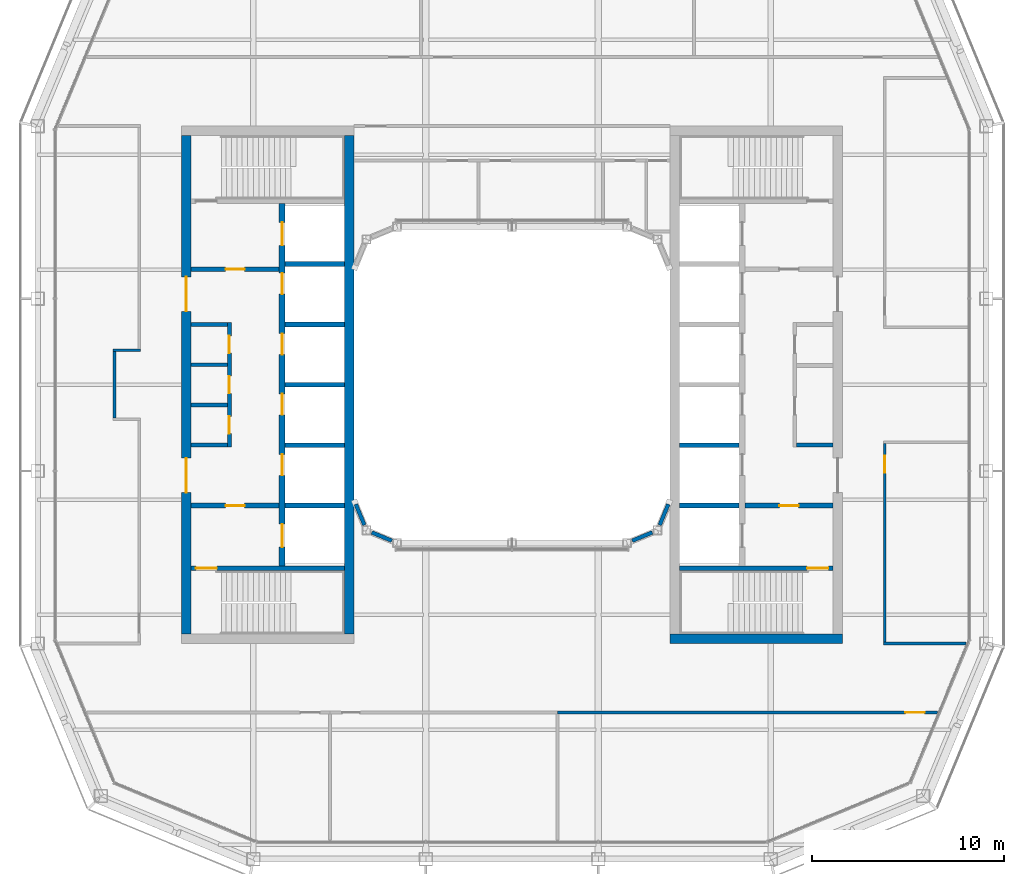
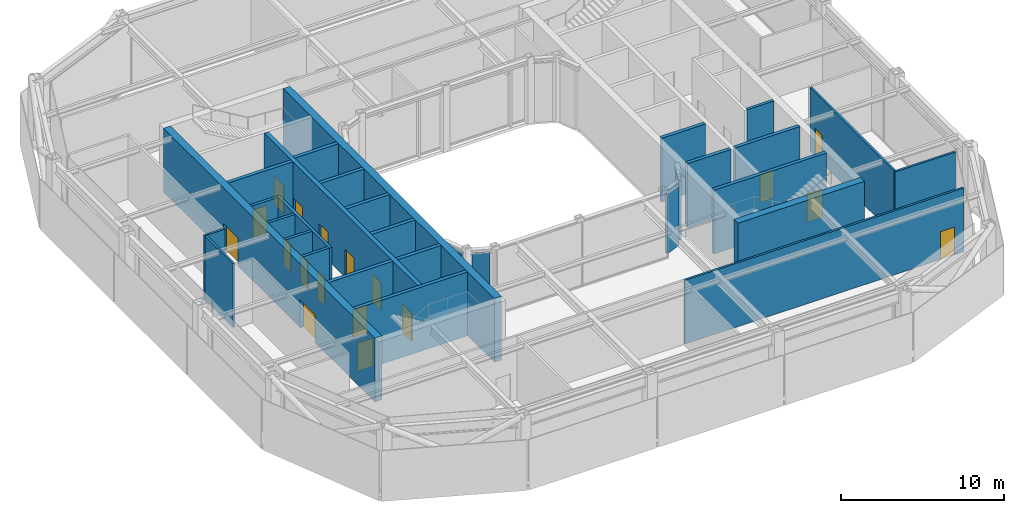
# One storey, part 11 of 17: 31 walls, 18 doors, 18 openings.
"""IFC4 building model written with IfcOpenShell, lengths in metres."""

from ifc_helpers import new_model, si_unit, direction, frame, frame_2d, origin, place, context, subcontext, project, spatial, rectangle, extrude, material, layer, layer_set, type_object, element, fill, save


model = new_model("IFC4")

# Units and contexts
model_context = context("Model", 3, precision=1e-05, world=origin(), true_north=direction((0.0, 1.0)))
body_context = subcontext(model_context, "Body", "Model", "MODEL_VIEW")
ifc_project = project(units=[si_unit("LENGTHUNIT", "METRE"), si_unit("AREAUNIT", "SQUARE_METRE"), si_unit("VOLUMEUNIT", "CUBIC_METRE"), si_unit("PLANEANGLEUNIT", "RADIAN"), si_unit("MASSUNIT", "GRAM", prefix="KILO")], contexts=[model_context])

# Site, building, storey
site_placement = place(None, origin())
site = spatial("IfcSite", under=ifc_project, at=site_placement, CompositionType="ELEMENT")
building_placement = place(site_placement, origin())
building = spatial("IfcBuilding", under=site, at=building_placement, Name="Siwar Civic Tower", CompositionType="ELEMENT")
storey_placement = place(building_placement, frame((0.0, 0.0, 348.199951171875)))
storey = spatial("IfcBuildingStorey", under=building, at=storey_placement, Name="L75", CompositionType="ELEMENT", Elevation=348.199951171875)

# Wall
ifc_material_1 = material(Name="Gypsum board on steel studs", Category="steel")
ifc_layer_1 = layer(ifc_material_1, 0.14990234375)
ifc_layer_set_1 = layer_set([ifc_layer_1], Name="Gypsum board on steel studs")
wall_type_1 = type_object("IfcWallType", Name="COMPARTMENT PARTITION 150 EI 60", PredefinedType="PARTITIONING", material=ifc_layer_set_1)
wall_1_placement = place(storey_placement, frame((19.375, -13.5, 0.0), z_axis=(0.0, 0.0, 1.0), x_axis=(1.0, 0.0, 0.0)))
element("IfcWall", 1, at=wall_1_placement, inside=storey, type_object=wall_type_1, Name="L75/wall/P05", PredefinedType="PARTITIONING", context=body_context, shape_type="SweptSolid", body=[
    extrude(rectangle(XDim=4.302978515625, YDim=0.14990234375, at=frame_2d((2.1513671875, 0.0))), origin(), (0.0, 0.0, 1.0), 4.800048828125),
])

# Wall, opening, door
wall_2_placement = place(storey_placement, frame((19.449951171875, -13.425048828125, 0.0), z_axis=(0.0, 0.0, 1.0), x_axis=(0.0, 1.0, 0.0)))
wall_2 = element("IfcWall", 2, at=wall_2_placement, inside=storey, type_object=wall_type_1, Name="L75/wall/P28", PredefinedType="PARTITIONING", context=body_context, shape_type="SweptSolid", body=[
    extrude(rectangle(XDim=10.35009765625, YDim=0.14990234375, at=frame_2d((5.175048828125, 0.0))), origin(), (0.0, 0.0, 1.0), 4.800048828125),
])
opening_1_placement = place(wall_2_placement, frame((8.824951171875, 0.0, 0.0)))
opening_1 = element("IfcOpeningElement", 3, at=opening_1_placement, cuts=wall_2, Name="Opening D4", PredefinedType="OPENING", context=body_context, shape_type="SweptSolid", body=[
    extrude(rectangle(XDim=0.89990234375, YDim=2.10009765625, at=frame_2d((0.449951171875, 1.050048828125))), frame((0.0, 0.0849609375, 0.0), z_axis=(0.0, -1.0, 0.0), x_axis=(1.0, 0.0, 0.0)), (0.0, 0.0, 1.0), 0.169921875),
])
ifc_material_2 = material(Name="Timber, painted", Category="wood")
door_type_1 = type_object("IfcDoorType", Name="DOOR 900 X 2100 FD60", OperationType="SINGLE_SWING_LEFT", PredefinedType="DOOR", material=ifc_material_2)
door_1_placement = place(opening_1_placement, origin())
door_1 = element("IfcDoor", 4, at=door_1_placement, inside=storey, type_object=door_type_1, Name="L75-D14", OperationType="SINGLE_SWING_RIGHT", OverallHeight=2.10009765625, OverallWidth=0.89990234375, PredefinedType="DOOR", context=body_context, shape_type="SweptSolid", body=[
    extrude(rectangle(XDim=0.89990234375, YDim=2.10009765625, at=frame_2d((0.449951171875, 1.050048828125))), frame((0.0, 0.02490234375, 0.0), z_axis=(0.0, -1.0, 0.0), x_axis=(1.0, 0.0, 0.0)), (0.0, 0.0, 1.0), 0.050048828125),
])
fill(opening_1, door_1)

# Wall, openings, doors
ifc_material_3 = material(Name="Gypsum board on steel studs", Category="steel")
ifc_layer_2 = layer(ifc_material_3, 0.199951171875)
ifc_layer_set_2 = layer_set([ifc_layer_2], Name="Gypsum board on steel studs")
wall_type_2 = type_object("IfcWallType", Name="CORE-PARTITION-200", PredefinedType="PARTITIONING", material=ifc_layer_set_2)
wall_3_placement = place(storey_placement, frame((-14.75, -3.25, 0.0), z_axis=(0.0, 0.0, 1.0), x_axis=(0.0, 1.0, 0.0)))
wall_3 = element("IfcWall", 5, at=wall_3_placement, inside=storey, type_object=wall_type_2, Name="Core partition W", PredefinedType="PARTITIONING", context=body_context, shape_type="SweptSolid", body=[
    extrude(rectangle(XDim=6.5, YDim=0.199951171875, at=frame_2d((3.25, 0.0))), origin(), (0.0, 0.0, 1.0), 4.800048828125),
])
opening_2_placement = place(wall_3_placement, frame((0.699951171875, 0.0, 0.0)))
opening_2 = element("IfcOpeningElement", 6, at=opening_2_placement, cuts=wall_3, Name="Opening L75-CW13", PredefinedType="OPENING", context=body_context, shape_type="SweptSolid", body=[
    extrude(rectangle(XDim=0.89990234375, YDim=2.10009765625, at=frame_2d((0.449951171875, 1.050048828125))), frame((0.0, 0.10986328125, 0.0), z_axis=(0.0, -1.0, 0.0), x_axis=(1.0, 0.0, 0.0)), (0.0, 0.0, 1.0), 0.219970703125),
])
opening_3_placement = place(wall_3_placement, frame((2.800048828125, 0.0, 0.0)))
opening_3 = element("IfcOpeningElement", 7, at=opening_3_placement, cuts=wall_3, Name="Opening L75-CW14", PredefinedType="OPENING", context=body_context, shape_type="SweptSolid", body=[
    extrude(rectangle(XDim=0.89990234375, YDim=2.10009765625, at=frame_2d((0.449951171875, 1.050048828125))), frame((0.0, 0.10986328125, 0.0), z_axis=(0.0, -1.0, 0.0), x_axis=(1.0, 0.0, 0.0)), (0.0, 0.0, 1.0), 0.219970703125),
])
opening_4_placement = place(wall_3_placement, frame((4.89990234375, 0.0, 0.0)))
opening_4 = element("IfcOpeningElement", 8, at=opening_4_placement, cuts=wall_3, Name="Opening L75-CW15", PredefinedType="OPENING", context=body_context, shape_type="SweptSolid", body=[
    extrude(rectangle(XDim=0.89990234375, YDim=2.10009765625, at=frame_2d((0.449951171875, 1.050048828125))), frame((0.0, 0.10986328125, 0.0), z_axis=(0.0, -1.0, 0.0), x_axis=(1.0, 0.0, 0.0)), (0.0, 0.0, 1.0), 0.219970703125),
])
ifc_material_4 = material(Name="Steel door leaf", Category="steel")
door_type_2 = type_object("IfcDoorType", Name="CORE-DOOR-ROOM", OperationType="SINGLE_SWING_LEFT", PredefinedType="DOOR", material=ifc_material_4)
door_2_placement = place(opening_2_placement, origin())
door_2 = element("IfcDoor", 9, at=door_2_placement, inside=storey, type_object=door_type_2, Name="Core room door L75-CW13", OperationType="SINGLE_SWING_RIGHT", OverallHeight=2.10009765625, OverallWidth=0.89990234375, PredefinedType="DOOR", context=body_context, shape_type="SweptSolid", body=[
    extrude(rectangle(XDim=0.89990234375, YDim=2.10009765625, at=frame_2d((0.449951171875, 1.050048828125))), frame((0.0, 0.02490234375, 0.0), z_axis=(0.0, -1.0, 0.0), x_axis=(1.0, 0.0, 0.0)), (0.0, 0.0, 1.0), 0.050048828125),
])
fill(opening_2, door_2)
door_3_placement = place(opening_3_placement, origin())
door_3 = element("IfcDoor", 10, at=door_3_placement, inside=storey, type_object=door_type_2, Name="Core room door L75-CW14", OperationType="SINGLE_SWING_RIGHT", OverallHeight=2.10009765625, OverallWidth=0.89990234375, PredefinedType="DOOR", context=body_context, shape_type="SweptSolid", body=[
    extrude(rectangle(XDim=0.89990234375, YDim=2.10009765625, at=frame_2d((0.449951171875, 1.050048828125))), frame((0.0, 0.02490234375, 0.0), z_axis=(0.0, -1.0, 0.0), x_axis=(1.0, 0.0, 0.0)), (0.0, 0.0, 1.0), 0.050048828125),
])
fill(opening_3, door_3)
door_4_placement = place(opening_4_placement, origin())
door_4 = element("IfcDoor", 11, at=door_4_placement, inside=storey, type_object=door_type_2, Name="Core room door L75-CW15", OperationType="SINGLE_SWING_RIGHT", OverallHeight=2.10009765625, OverallWidth=0.89990234375, PredefinedType="DOOR", context=body_context, shape_type="SweptSolid", body=[
    extrude(rectangle(XDim=0.89990234375, YDim=2.10009765625, at=frame_2d((0.449951171875, 1.050048828125))), frame((0.0, 0.02490234375, 0.0), z_axis=(0.0, -1.0, 0.0), x_axis=(1.0, 0.0, 0.0)), (0.0, 0.0, 1.0), 0.050048828125),
])
fill(opening_4, door_4)

# Walls
for number, where, z_axis, x_axis, name in (
    (12, (-14.85009765625, 3.14990234375, 0.0), (0.0, 0.0, 1.0), (-1.0, 0.0, 0.0), "Core partition W"),
    (13, (-14.85009765625, -3.14990234375, 0.0), (0.0, 0.0, 1.0), (-1.0, 0.0, 0.0), "Core partition W"),
    (14, (-14.85009765625, -1.050048828125, 0.0), (0.0, 0.0, 1.0), (-1.0, 0.0, 0.0), "Core partition W"),
    (15, (-14.85009765625, 1.050048828125, 0.0), (0.0, 0.0, 1.0), (-1.0, 0.0, 0.0), "Core partition W"),
    (16, (14.85009765625, -3.14990234375, 0.0), (0.0, 0.0, 1.0), (1.0, 0.0, 0.0), "Core partition E"),
):
    element("IfcWall", number, at=place(storey_placement, frame(where, z_axis=z_axis, x_axis=x_axis)), inside=storey, type_object=wall_type_2, Name=name, PredefinedType="PARTITIONING", context=body_context, shape_type="SweptSolid", body=[
        extrude(rectangle(XDim=1.89990234375, YDim=0.199951171875, at=frame_2d((0.949951171875, 0.0))), origin(), (0.0, 0.0, 1.0), 4.800048828125),
    ])

# Wall, opening, door
ifc_material_5 = material(Name="Concrete C60/75", Category="concrete")
ifc_layer_3 = layer(ifc_material_5, 0.25)
ifc_layer_set_3 = layer_set([ifc_layer_3], Name="Concrete C60/75")
wall_type_3 = type_object("IfcWallType", Name="CORE-WALL-RC250", PredefinedType="SHEAR", material=ifc_layer_set_3)
wall_4_placement = place(storey_placement, frame((-12.14990234375, 6.02490234375, 0.0), z_axis=(0.0, 0.0, 1.0), x_axis=(-1.0, 0.0, 0.0)))
wall_4 = element("IfcWall", 17, at=wall_4_placement, inside=storey, type_object=wall_type_3, Name="Core wall W", PredefinedType="SHEAR", context=body_context, shape_type="SweptSolid", body=[
    extrude(rectangle(XDim=4.60009765625, YDim=0.25, at=frame_2d((2.300048828125, 0.0))), origin(), (0.0, 0.0, 1.0), 4.800048828125),
])
opening_5_placement = place(wall_4_placement, frame((1.800048828125, 0.0, 0.0)))
opening_5 = element("IfcOpeningElement", 18, at=opening_5_placement, cuts=wall_4, Name="Opening L75-CW01", PredefinedType="OPENING", context=body_context, shape_type="SweptSolid", body=[
    extrude(rectangle(XDim=1.0, YDim=2.10009765625, at=frame_2d((0.5, 1.050048828125))), frame((0.0, 0.135009765625, 0.0), z_axis=(0.0, -1.0, 0.0), x_axis=(1.0, 0.0, 0.0)), (0.0, 0.0, 1.0), 0.27001953125),
])
ifc_material_6 = material(Name="Steel door leaf", Category="steel")
door_type_3 = type_object("IfcDoorType", Name="CORE-DOOR-FD30S", OperationType="SINGLE_SWING_LEFT", PredefinedType="DOOR", material=ifc_material_6)
door_5_placement = place(opening_5_placement, origin())
door_5 = element("IfcDoor", 19, at=door_5_placement, inside=storey, type_object=door_type_3, Name="Firefighting lobby door L75-CW01", OperationType="SINGLE_SWING_LEFT", OverallHeight=2.10009765625, OverallWidth=1.0, PredefinedType="DOOR", context=body_context, shape_type="SweptSolid", body=[
    extrude(rectangle(XDim=1.0, YDim=2.10009765625, at=frame_2d((0.5, 1.050048828125))), frame((0.0, 0.02490234375, 0.0), z_axis=(0.0, -1.0, 0.0), x_axis=(1.0, 0.0, 0.0)), (0.0, 0.0, 1.0), 0.050048828125),
])
fill(opening_5, door_5)

wall_5_placement = place(storey_placement, frame((-12.14990234375, -6.300048828125, 0.0), z_axis=(0.0, 0.0, 1.0), x_axis=(-1.0, 0.0, 0.0)))
wall_5 = element("IfcWall", 20, at=wall_5_placement, inside=storey, type_object=wall_type_3, Name="Core wall W", PredefinedType="SHEAR", context=body_context, shape_type="SweptSolid", body=[
    extrude(rectangle(XDim=4.60009765625, YDim=0.25, at=frame_2d((2.300048828125, 0.0))), origin(), (0.0, 0.0, 1.0), 4.800048828125),
])
opening_6_placement = place(wall_5_placement, frame((1.800048828125, 0.0, 0.0)))
opening_6 = element("IfcOpeningElement", 21, at=opening_6_placement, cuts=wall_5, Name="Opening L75-CW02", PredefinedType="OPENING", context=body_context, shape_type="SweptSolid", body=[
    extrude(rectangle(XDim=1.0, YDim=2.10009765625, at=frame_2d((0.5, 1.050048828125))), frame((0.0, 0.135009765625, 0.0), z_axis=(0.0, -1.0, 0.0), x_axis=(1.0, 0.0, 0.0)), (0.0, 0.0, 1.0), 0.27001953125),
])
door_6_placement = place(opening_6_placement, origin())
door_6 = element("IfcDoor", 22, at=door_6_placement, inside=storey, type_object=door_type_3, Name="Service lobby door L75-CW02", OperationType="SINGLE_SWING_RIGHT", OverallHeight=2.10009765625, OverallWidth=1.0, PredefinedType="DOOR", context=body_context, shape_type="SweptSolid", body=[
    extrude(rectangle(XDim=1.0, YDim=2.10009765625, at=frame_2d((0.5, 1.050048828125))), frame((0.0, 0.02490234375, 0.0), z_axis=(0.0, -1.0, 0.0), x_axis=(1.0, 0.0, 0.0)), (0.0, 0.0, 1.0), 0.050048828125),
])
fill(opening_6, door_6)

# Walls
for number, where, z_axis, x_axis, name in (
    (23, (-8.75, 0.0, 0.0), (0.0, 0.0, 1.0), (-1.0, 0.0, 0.0), "Core wall W"),
    (24, (-8.75, 3.14990234375, 0.0), (0.0, 0.0, 1.0), (-1.0, 0.0, 0.0), "Core wall W"),
    (25, (-8.75, 6.300048828125, 0.0), (0.0, 0.0, 1.0), (-1.0, 0.0, 0.0), "Core wall W"),
    (26, (-8.75, -3.14990234375, 0.0), (0.0, 0.0, 1.0), (-1.0, 0.0, 0.0), "Core wall W"),
    (27, (-8.75, -6.300048828125, 0.0), (0.0, 0.0, 1.0), (-1.0, 0.0, 0.0), "Core wall W"),
):
    element("IfcWall", number, at=place(storey_placement, frame(where, z_axis=z_axis, x_axis=x_axis)), inside=storey, type_object=wall_type_3, Name=name, PredefinedType="SHEAR", context=body_context, shape_type="SweptSolid", body=[
        extrude(rectangle(XDim=3.10009765625, YDim=0.25, at=frame_2d((1.550048828125, 0.0))), origin(), (0.0, 0.0, 1.0), 4.800048828125),
    ])

# Wall, opening, door
wall_6_placement = place(storey_placement, frame((-8.75, -9.574951171875, 0.0), z_axis=(0.0, 0.0, 1.0), x_axis=(-1.0, 0.0, 0.0)))
wall_6 = element("IfcWall", 28, at=wall_6_placement, inside=storey, type_object=wall_type_3, Name="Core wall W", PredefinedType="SHEAR", context=body_context, shape_type="SweptSolid", body=[
    extrude(rectangle(XDim=8.0, YDim=0.25, at=frame_2d((4.0, 0.0))), origin(), (0.0, 0.0, 1.0), 4.800048828125),
])
opening_7_placement = place(wall_6_placement, frame((6.64990234375, 0.0, 0.0)))
opening_7 = element("IfcOpeningElement", 29, at=opening_7_placement, cuts=wall_6, Name="Opening L75-CW04", PredefinedType="OPENING", context=body_context, shape_type="SweptSolid", body=[
    extrude(rectangle(XDim=1.10009765625, YDim=2.10009765625, at=frame_2d((0.550048828125, 1.050048828125))), frame((0.0, 0.135009765625, 0.0), z_axis=(0.0, -1.0, 0.0), x_axis=(1.0, 0.0, 0.0)), (0.0, 0.0, 1.0), 0.27001953125),
])
ifc_material_7 = material(Name="Steel door leaf", Category="steel")
door_type_4 = type_object("IfcDoorType", Name="CORE-DOOR-FD60S", OperationType="SINGLE_SWING_LEFT", PredefinedType="DOOR", material=ifc_material_7)
door_7_placement = place(opening_7_placement, origin())
door_7 = element("IfcDoor", 30, at=door_7_placement, inside=storey, type_object=door_type_4, Name="Stair door L75-CW04", OperationType="SINGLE_SWING_LEFT", OverallHeight=2.10009765625, OverallWidth=1.10009765625, PredefinedType="DOOR", context=body_context, shape_type="SweptSolid", body=[
    extrude(rectangle(XDim=1.10009765625, YDim=2.10009765625, at=frame_2d((0.550048828125, 1.050048828125))), frame((0.0, 0.02490234375, 0.0), z_axis=(0.0, -1.0, 0.0), x_axis=(1.0, 0.0, 0.0)), (0.0, 0.0, 1.0), 0.050048828125),
])
fill(opening_7, door_7)

wall_7_placement = place(storey_placement, frame((12.14990234375, -6.300048828125, 0.0), z_axis=(0.0, 0.0, 1.0), x_axis=(1.0, 0.0, 0.0)))
wall_7 = element("IfcWall", 31, at=wall_7_placement, inside=storey, type_object=wall_type_3, Name="Core wall E", PredefinedType="SHEAR", context=body_context, shape_type="SweptSolid", body=[
    extrude(rectangle(XDim=4.60009765625, YDim=0.25, at=frame_2d((2.300048828125, 0.0))), origin(), (0.0, 0.0, 1.0), 4.800048828125),
])
opening_8_placement = place(wall_7_placement, frame((1.800048828125, 0.0, 0.0)))
opening_8 = element("IfcOpeningElement", 32, at=opening_8_placement, cuts=wall_7, Name="Opening L75-CE02", PredefinedType="OPENING", context=body_context, shape_type="SweptSolid", body=[
    extrude(rectangle(XDim=1.0, YDim=2.10009765625, at=frame_2d((0.5, 1.050048828125))), frame((0.0, 0.135009765625, 0.0), z_axis=(0.0, -1.0, 0.0), x_axis=(1.0, 0.0, 0.0)), (0.0, 0.0, 1.0), 0.27001953125),
])
door_8_placement = place(opening_8_placement, origin())
door_8 = element("IfcDoor", 33, at=door_8_placement, inside=storey, type_object=door_type_3, Name="Service lobby door L75-CE02", OperationType="SINGLE_SWING_LEFT", OverallHeight=2.10009765625, OverallWidth=1.0, PredefinedType="DOOR", context=body_context, shape_type="SweptSolid", body=[
    extrude(rectangle(XDim=1.0, YDim=2.10009765625, at=frame_2d((0.5, 1.050048828125))), frame((0.0, 0.02490234375, 0.0), z_axis=(0.0, -1.0, 0.0), x_axis=(1.0, 0.0, 0.0)), (0.0, 0.0, 1.0), 0.050048828125),
])
fill(opening_8, door_8)

# Walls
for number, where, z_axis, x_axis, name in (
    (34, (8.75, -3.14990234375, 0.0), (0.0, 0.0, 1.0), (1.0, 0.0, 0.0), "Core wall E"),
    (35, (8.75, -6.300048828125, 0.0), (0.0, 0.0, 1.0), (1.0, 0.0, 0.0), "Core wall E"),
):
    element("IfcWall", number, at=place(storey_placement, frame(where, z_axis=z_axis, x_axis=x_axis)), inside=storey, type_object=wall_type_3, Name=name, PredefinedType="SHEAR", context=body_context, shape_type="SweptSolid", body=[
        extrude(rectangle(XDim=3.10009765625, YDim=0.25, at=frame_2d((1.550048828125, 0.0))), origin(), (0.0, 0.0, 1.0), 4.800048828125),
    ])

# Wall, opening, door
wall_8_placement = place(storey_placement, frame((8.75, -9.574951171875, 0.0), z_axis=(0.0, 0.0, 1.0), x_axis=(1.0, 0.0, 0.0)))
wall_8 = element("IfcWall", 36, at=wall_8_placement, inside=storey, type_object=wall_type_3, Name="Core wall E", PredefinedType="SHEAR", context=body_context, shape_type="SweptSolid", body=[
    extrude(rectangle(XDim=8.0, YDim=0.25, at=frame_2d((4.0, 0.0))), origin(), (0.0, 0.0, 1.0), 4.800048828125),
])
opening_9_placement = place(wall_8_placement, frame((6.64990234375, 0.0, 0.0)))
opening_9 = element("IfcOpeningElement", 37, at=opening_9_placement, cuts=wall_8, Name="Opening L75-CE04", PredefinedType="OPENING", context=body_context, shape_type="SweptSolid", body=[
    extrude(rectangle(XDim=1.10009765625, YDim=2.10009765625, at=frame_2d((0.550048828125, 1.050048828125))), frame((0.0, 0.135009765625, 0.0), z_axis=(0.0, -1.0, 0.0), x_axis=(1.0, 0.0, 0.0)), (0.0, 0.0, 1.0), 0.27001953125),
])
door_9_placement = place(opening_9_placement, origin())
door_9 = element("IfcDoor", 38, at=door_9_placement, inside=storey, type_object=door_type_4, Name="Stair door L75-CE04", OperationType="SINGLE_SWING_RIGHT", OverallHeight=2.10009765625, OverallWidth=1.10009765625, PredefinedType="DOOR", context=body_context, shape_type="SweptSolid", body=[
    extrude(rectangle(XDim=1.10009765625, YDim=2.10009765625, at=frame_2d((0.550048828125, 1.050048828125))), frame((0.0, 0.02490234375, 0.0), z_axis=(0.0, -1.0, 0.0), x_axis=(1.0, 0.0, 0.0)), (0.0, 0.0, 1.0), 0.050048828125),
])
fill(opening_9, door_9)

# Wall, openings, doors
ifc_material_8 = material(Name="Concrete C60/75", Category="concrete")
ifc_layer_4 = layer(ifc_material_8, 0.300048828125)
ifc_layer_set_4 = layer_set([ifc_layer_4], Name="Concrete C60/75")
wall_type_4 = type_object("IfcWallType", Name="CORE-WALL-RC300", PredefinedType="SHEAR", material=ifc_layer_set_4)
wall_9_placement = place(storey_placement, frame((-12.0, -9.449951171875, 0.0), z_axis=(0.0, 0.0, 1.0), x_axis=(0.0, 1.0, 0.0)))
wall_9 = element("IfcWall", 39, at=wall_9_placement, inside=storey, type_object=wall_type_4, Name="Core wall W", PredefinedType="SHEAR", context=body_context, shape_type="SweptSolid", body=[
    extrude(rectangle(XDim=18.89990234375, YDim=0.300048828125, at=frame_2d((9.449951171875, 0.0))), origin(), (0.0, 0.0, 1.0), 4.800048828125),
])
opening_10_placement = place(wall_9_placement, frame((4.72509765625, 0.0, 0.0)))
opening_10 = element("IfcOpeningElement", 40, at=opening_10_placement, cuts=wall_9, Name="Opening L75-CW07", PredefinedType="OPENING", context=body_context, shape_type="SweptSolid", body=[
    extrude(rectangle(XDim=1.10009765625, YDim=2.10009765625, at=frame_2d((0.550048828125, 1.050048828125))), frame((0.0, 0.16015625, 0.0), z_axis=(0.0, -1.0, 0.0), x_axis=(1.0, 0.0, 0.0)), (0.0, 0.0, 1.0), 0.320068359375),
])
opening_11_placement = place(wall_9_placement, frame((7.875, 0.0, 0.0)))
opening_11 = element("IfcOpeningElement", 41, at=opening_11_placement, cuts=wall_9, Name="Opening L75-CW08", PredefinedType="OPENING", context=body_context, shape_type="SweptSolid", body=[
    extrude(rectangle(XDim=1.10009765625, YDim=2.10009765625, at=frame_2d((0.550048828125, 1.050048828125))), frame((0.0, 0.16015625, 0.0), z_axis=(0.0, -1.0, 0.0), x_axis=(1.0, 0.0, 0.0)), (0.0, 0.0, 1.0), 0.320068359375),
])
opening_12_placement = place(wall_9_placement, frame((11.02490234375, 0.0, 0.0)))
opening_12 = element("IfcOpeningElement", 42, at=opening_12_placement, cuts=wall_9, Name="Opening L75-CW09", PredefinedType="OPENING", context=body_context, shape_type="SweptSolid", body=[
    extrude(rectangle(XDim=1.10009765625, YDim=2.10009765625, at=frame_2d((0.550048828125, 1.050048828125))), frame((0.0, 0.16015625, 0.0), z_axis=(0.0, -1.0, 0.0), x_axis=(1.0, 0.0, 0.0)), (0.0, 0.0, 1.0), 0.320068359375),
])
opening_13_placement = place(wall_9_placement, frame((14.175048828125, 0.0, 0.0)))
opening_13 = element("IfcOpeningElement", 43, at=opening_13_placement, cuts=wall_9, Name="Opening L75-CW10", PredefinedType="OPENING", context=body_context, shape_type="SweptSolid", body=[
    extrude(rectangle(XDim=1.10009765625, YDim=2.10009765625, at=frame_2d((0.550048828125, 1.050048828125))), frame((0.0, 0.16015625, 0.0), z_axis=(0.0, -1.0, 0.0), x_axis=(1.0, 0.0, 0.0)), (0.0, 0.0, 1.0), 0.320068359375),
])
opening_14_placement = place(wall_9_placement, frame((16.72509765625, 0.0, 0.0)))
opening_14 = element("IfcOpeningElement", 44, at=opening_14_placement, cuts=wall_9, Name="Opening L75-CW11", PredefinedType="OPENING", context=body_context, shape_type="SweptSolid", body=[
    extrude(rectangle(XDim=1.199951171875, YDim=2.10009765625, at=frame_2d((0.60009765625, 1.050048828125))), frame((0.0, 0.16015625, 0.0), z_axis=(0.0, -1.0, 0.0), x_axis=(1.0, 0.0, 0.0)), (0.0, 0.0, 1.0), 0.320068359375),
])
opening_15_placement = place(wall_9_placement, frame((0.97509765625, 0.0, 0.0)))
opening_15 = element("IfcOpeningElement", 45, at=opening_15_placement, cuts=wall_9, Name="Opening L75-CW12", PredefinedType="OPENING", context=body_context, shape_type="SweptSolid", body=[
    extrude(rectangle(XDim=1.199951171875, YDim=2.10009765625, at=frame_2d((0.60009765625, 1.050048828125))), frame((0.0, 0.16015625, 0.0), z_axis=(0.0, -1.0, 0.0), x_axis=(1.0, 0.0, 0.0)), (0.0, 0.0, 1.0), 0.320068359375),
])
ifc_material_9 = material(Name="Steel door leaf", Category="steel")
door_type_5 = type_object("IfcDoorType", Name="CORE-DOOR-LD", OperationType="DOUBLE_DOOR_SLIDING", PredefinedType="DOOR", material=ifc_material_9)
door_10_placement = place(opening_10_placement, origin())
door_10 = element("IfcDoor", 46, at=door_10_placement, inside=storey, type_object=door_type_5, Name="Landing door HR1 L75-CW07", OperationType="DOUBLE_DOOR_SLIDING", OverallHeight=2.10009765625, OverallWidth=1.10009765625, PredefinedType="DOOR", context=body_context, shape_type="SweptSolid", body=[
    extrude(rectangle(XDim=1.10009765625, YDim=2.10009765625, at=frame_2d((0.550048828125, 1.050048828125))), frame((0.0, 0.02490234375, 0.0), z_axis=(0.0, -1.0, 0.0), x_axis=(1.0, 0.0, 0.0)), (0.0, 0.0, 1.0), 0.050048828125),
])
fill(opening_10, door_10)
door_11_placement = place(opening_11_placement, origin())
door_11 = element("IfcDoor", 47, at=door_11_placement, inside=storey, type_object=door_type_5, Name="Landing door HR2 L75-CW08", OperationType="DOUBLE_DOOR_SLIDING", OverallHeight=2.10009765625, OverallWidth=1.10009765625, PredefinedType="DOOR", context=body_context, shape_type="SweptSolid", body=[
    extrude(rectangle(XDim=1.10009765625, YDim=2.10009765625, at=frame_2d((0.550048828125, 1.050048828125))), frame((0.0, 0.02490234375, 0.0), z_axis=(0.0, -1.0, 0.0), x_axis=(1.0, 0.0, 0.0)), (0.0, 0.0, 1.0), 0.050048828125),
])
fill(opening_11, door_11)
door_12_placement = place(opening_12_placement, origin())
door_12 = element("IfcDoor", 48, at=door_12_placement, inside=storey, type_object=door_type_5, Name="Landing door HR3 L75-CW09", OperationType="DOUBLE_DOOR_SLIDING", OverallHeight=2.10009765625, OverallWidth=1.10009765625, PredefinedType="DOOR", context=body_context, shape_type="SweptSolid", body=[
    extrude(rectangle(XDim=1.10009765625, YDim=2.10009765625, at=frame_2d((0.550048828125, 1.050048828125))), frame((0.0, 0.02490234375, 0.0), z_axis=(0.0, -1.0, 0.0), x_axis=(1.0, 0.0, 0.0)), (0.0, 0.0, 1.0), 0.050048828125),
])
fill(opening_12, door_12)
door_13_placement = place(opening_13_placement, origin())
door_13 = element("IfcDoor", 49, at=door_13_placement, inside=storey, type_object=door_type_5, Name="Landing door HR4 L75-CW10", OperationType="DOUBLE_DOOR_SLIDING", OverallHeight=2.10009765625, OverallWidth=1.10009765625, PredefinedType="DOOR", context=body_context, shape_type="SweptSolid", body=[
    extrude(rectangle(XDim=1.10009765625, YDim=2.10009765625, at=frame_2d((0.550048828125, 1.050048828125))), frame((0.0, 0.02490234375, 0.0), z_axis=(0.0, -1.0, 0.0), x_axis=(1.0, 0.0, 0.0)), (0.0, 0.0, 1.0), 0.050048828125),
])
fill(opening_13, door_13)
ifc_material_10 = material(Name="Steel door leaf", Category="steel")
door_type_6 = type_object("IfcDoorType", Name="CORE-DOOR-LDW", OperationType="DOUBLE_DOOR_SLIDING", PredefinedType="DOOR", material=ifc_material_10)
door_14_placement = place(opening_14_placement, origin())
door_14 = element("IfcDoor", 50, at=door_14_placement, inside=storey, type_object=door_type_6, Name="Landing door FF1 L75-CW11", OperationType="DOUBLE_DOOR_SLIDING", OverallHeight=2.10009765625, OverallWidth=1.199951171875, PredefinedType="DOOR", context=body_context, shape_type="SweptSolid", body=[
    extrude(rectangle(XDim=1.199951171875, YDim=2.10009765625, at=frame_2d((0.60009765625, 1.050048828125))), frame((0.0, 0.02490234375, 0.0), z_axis=(0.0, -1.0, 0.0), x_axis=(1.0, 0.0, 0.0)), (0.0, 0.0, 1.0), 0.050048828125),
])
fill(opening_14, door_14)
door_15_placement = place(opening_15_placement, origin())
door_15 = element("IfcDoor", 51, at=door_15_placement, inside=storey, type_object=door_type_6, Name="Landing door SV1 L75-CW12", OperationType="DOUBLE_DOOR_SLIDING", OverallHeight=2.10009765625, OverallWidth=1.199951171875, PredefinedType="DOOR", context=body_context, shape_type="SweptSolid", body=[
    extrude(rectangle(XDim=1.199951171875, YDim=2.10009765625, at=frame_2d((0.60009765625, 1.050048828125))), frame((0.0, 0.02490234375, 0.0), z_axis=(0.0, -1.0, 0.0), x_axis=(1.0, 0.0, 0.0)), (0.0, 0.0, 1.0), 0.050048828125),
])
fill(opening_15, door_15)

ifc_material_11 = material(Name="Concrete C60/75", Category="concrete")
ifc_layer_5 = layer(ifc_material_11, 0.5)
ifc_layer_set_5 = layer_set([ifc_layer_5], Name="Concrete C60/75")
wall_type_5 = type_object("IfcWallType", Name="CORE-WALL-RC500", PredefinedType="SHEAR", material=ifc_layer_set_5)
wall_10_placement = place(storey_placement, frame((-17.0, -13.0, 0.0), z_axis=(0.0, 0.0, 1.0), x_axis=(0.0, 1.0, 0.0)))
wall_10 = element("IfcWall", 52, at=wall_10_placement, inside=storey, type_object=wall_type_5, Name="Core wall W", PredefinedType="SHEAR", context=body_context, shape_type="SweptSolid", body=[
    extrude(rectangle(XDim=26.0, YDim=0.5, at=frame_2d((13.0, 0.0))), origin(), (0.0, 0.0, 1.0), 4.800048828125),
])
opening_16_placement = place(wall_10_placement, frame((16.824951171875, 0.0, 0.0)))
opening_16 = element("IfcOpeningElement", 53, at=opening_16_placement, cuts=wall_10, Name="Opening L75-CW05", PredefinedType="OPENING", context=body_context, shape_type="SweptSolid", body=[
    extrude(rectangle(XDim=1.800048828125, YDim=2.10009765625, at=frame_2d((0.89990234375, 1.050048828125))), frame((0.0, 0.260009765625, 0.0), z_axis=(0.0, -1.0, 0.0), x_axis=(1.0, 0.0, 0.0)), (0.0, 0.0, 1.0), 0.52001953125),
])
opening_17_placement = place(wall_10_placement, frame((7.375, 0.0, 0.0)))
opening_17 = element("IfcOpeningElement", 54, at=opening_17_placement, cuts=wall_10, Name="Opening L75-CW06", PredefinedType="OPENING", context=body_context, shape_type="SweptSolid", body=[
    extrude(rectangle(XDim=1.800048828125, YDim=2.10009765625, at=frame_2d((0.89990234375, 1.050048828125))), frame((0.0, 0.260009765625, 0.0), z_axis=(0.0, -1.0, 0.0), x_axis=(1.0, 0.0, 0.0)), (0.0, 0.0, 1.0), 0.52001953125),
])
ifc_material_12 = material(Name="Steel door leaf", Category="steel")
door_type_7 = type_object("IfcDoorType", Name="CORE-DOOR-PORT", OperationType="DOUBLE_DOOR_DOUBLE_SWING", PredefinedType="DOOR", material=ifc_material_12)
door_16_placement = place(opening_16_placement, origin())
door_16 = element("IfcDoor", 55, at=door_16_placement, inside=storey, type_object=door_type_7, Name="Core entrance door L75-CW05", OperationType="DOUBLE_DOOR_DOUBLE_SWING", OverallHeight=2.10009765625, OverallWidth=1.800048828125, PredefinedType="DOOR", context=body_context, shape_type="SweptSolid", body=[
    extrude(rectangle(XDim=1.800048828125, YDim=2.10009765625, at=frame_2d((0.89990234375, 1.050048828125))), frame((0.0, 0.02490234375, 0.0), z_axis=(0.0, -1.0, 0.0), x_axis=(1.0, 0.0, 0.0)), (0.0, 0.0, 1.0), 0.050048828125),
])
fill(opening_16, door_16)
door_17_placement = place(opening_17_placement, origin())
door_17 = element("IfcDoor", 56, at=door_17_placement, inside=storey, type_object=door_type_7, Name="Core entrance door L75-CW06", OperationType="DOUBLE_DOOR_DOUBLE_SWING", OverallHeight=2.10009765625, OverallWidth=1.800048828125, PredefinedType="DOOR", context=body_context, shape_type="SweptSolid", body=[
    extrude(rectangle(XDim=1.800048828125, YDim=2.10009765625, at=frame_2d((0.89990234375, 1.050048828125))), frame((0.0, 0.02490234375, 0.0), z_axis=(0.0, -1.0, 0.0), x_axis=(1.0, 0.0, 0.0)), (0.0, 0.0, 1.0), 0.050048828125),
])
fill(opening_17, door_17)

# Walls
wall_11_placement = place(storey_placement, frame((8.25, -13.25, 0.0), z_axis=(0.0, 0.0, 1.0), x_axis=(1.0, 0.0, 0.0)))
element("IfcWall", 57, at=wall_11_placement, inside=storey, type_object=wall_type_5, Name="Core wall E", PredefinedType="SHEAR", context=body_context, shape_type="SweptSolid", body=[
    extrude(rectangle(XDim=9.0, YDim=0.5, at=frame_2d((4.5, 0.0))), origin(), (0.0, 0.0, 1.0), 4.800048828125),
])
ifc_material_13 = material(Name="Concrete C60/75", Category="concrete")
ifc_layer_6 = layer(ifc_material_13, 0.5)
ifc_layer_set_6 = layer_set([ifc_layer_6], Name="Concrete C60/75")
wall_type_6 = type_object("IfcWallType", Name="CORE-WALL-RC500-EXT", PredefinedType="SHEAR", material=ifc_layer_set_6)
wall_12_placement = place(storey_placement, frame((-8.5, -13.0, 0.0), z_axis=(0.0, 0.0, 1.0), x_axis=(0.0, 1.0, 0.0)))
element("IfcWall", 58, at=wall_12_placement, inside=storey, type_object=wall_type_6, Name="Core wall W", PredefinedType="SHEAR", context=body_context, shape_type="SweptSolid", body=[
    extrude(rectangle(XDim=26.0, YDim=0.5, at=frame_2d((13.0, 0.0))), origin(), (0.0, 0.0, 1.0), 4.800048828125),
])

# Wall, opening, door
ifc_material_14 = material(Name="Gypsum board on steel studs", Category="steel")
ifc_layer_7 = layer(ifc_material_14, 0.14990234375)
ifc_layer_set_7 = layer_set([ifc_layer_7], Name="Gypsum board on steel studs")
wall_type_7 = type_object("IfcWallType", Name="CORRIDOR PARTITION 150 EI 30", PredefinedType="PARTITIONING", material=ifc_layer_set_7)
wall_13_placement = place(storey_placement, frame((2.3798828125, -17.10009765625, 0.0), z_axis=(0.0, 0.0, 1.0), x_axis=(1.0, 0.0, 0.0)))
wall_13 = element("IfcWall", 59, at=wall_13_placement, inside=storey, type_object=wall_type_7, Name="L75/wall/P02", PredefinedType="PARTITIONING", context=body_context, shape_type="SweptSolid", body=[
    extrude(rectangle(XDim=19.80712890625, YDim=0.14990234375, at=frame_2d((9.903564453125, 0.0))), origin(), (0.0, 0.0, 1.0), 4.800048828125),
])
opening_18_placement = place(wall_13_placement, frame((18.14990234375, 0.0, 0.0)))
opening_18 = element("IfcOpeningElement", 60, at=opening_18_placement, cuts=wall_13, Name="Opening D1", PredefinedType="OPENING", context=body_context, shape_type="SweptSolid", body=[
    extrude(rectangle(XDim=1.0, YDim=2.10009765625, at=frame_2d((0.5, 1.050048828125))), frame((0.0, 0.0849609375, 0.0), z_axis=(0.0, -1.0, 0.0), x_axis=(1.0, 0.0, 0.0)), (0.0, 0.0, 1.0), 0.169921875),
])
ifc_material_15 = material(Name="Timber, painted", Category="wood")
door_type_8 = type_object("IfcDoorType", Name="DOOR 1000 X 2100 FD30", OperationType="SINGLE_SWING_LEFT", PredefinedType="DOOR", material=ifc_material_15)
door_18_placement = place(opening_18_placement, origin())
door_18 = element("IfcDoor", 61, at=door_18_placement, inside=storey, type_object=door_type_8, Name="L75-D06", OperationType="SINGLE_SWING_RIGHT", OverallHeight=2.10009765625, OverallWidth=1.0, PredefinedType="DOOR", context=body_context, shape_type="SweptSolid", body=[
    extrude(rectangle(XDim=1.0, YDim=2.10009765625, at=frame_2d((0.5, 1.050048828125))), frame((0.0, 0.02490234375, 0.0), z_axis=(0.0, -1.0, 0.0), x_axis=(1.0, 0.0, 0.0)), (0.0, 0.0, 1.0), 0.050048828125),
])
fill(opening_18, door_18)

# Walls
wall_14_placement = place(storey_placement, frame((-20.824951171875, 1.800048828125, 0.0), z_axis=(0.0, 0.0, 1.0), x_axis=(1.0, 0.0, 0.0)))
element("IfcWall", 62, at=wall_14_placement, inside=storey, type_object=wall_type_7, Name="L75/wall/P08", PredefinedType="PARTITIONING", context=body_context, shape_type="SweptSolid", body=[
    extrude(rectangle(XDim=1.449951171875, YDim=0.14990234375, at=frame_2d((0.72509765625, 0.0))), origin(), (0.0, 0.0, 1.0), 4.800048828125),
])
wall_15_placement = place(storey_placement, frame((-20.75, -1.72509765625, 0.0), z_axis=(0.0, 0.0, 1.0), x_axis=(0.0, 1.0, 0.0)))
element("IfcWall", 63, at=wall_15_placement, inside=storey, type_object=wall_type_7, Name="L75/wall/P18", PredefinedType="PARTITIONING", context=body_context, shape_type="SweptSolid", body=[
    extrude(rectangle(XDim=3.4501953125, YDim=0.14990234375, at=frame_2d((1.72509765625, 0.0))), origin(), (0.0, 0.0, 1.0), 4.800048828125),
])
ifc_material_16 = material(Name="Aluminium clad insulated panel", Category="aluminium")
ifc_layer_8 = layer(ifc_material_16, 0.199951171875)
ifc_layer_set_8 = layer_set([ifc_layer_8], Name="Aluminium clad insulated panel")
wall_type_8 = type_object("IfcWallType", Name="ENV-WALL-WELL", PredefinedType="STANDARD", material=ifc_layer_set_8)
wall_16_placement = place(storey_placement, frame((6.271484375, -8.137451171875, 0.0), z_axis=(0.0, 0.0, 1.0), x_axis=(0.923864661962, 0.382719331074, 0.0)))
element("IfcWall", 64, at=wall_16_placement, inside=storey, type_object=wall_type_8, Name="Light well corner wall SE1", PredefinedType="STANDARD", context=body_context, shape_type="SweptSolid", body=[
    extrude(rectangle(XDim=1.13427734375, YDim=0.199951171875, at=frame_2d((0.567138671875, 0.0))), origin(), (0.0, 0.0, 1.0), 4.4599609375),
])
for number, where, z_axis, x_axis, name in (
    (65, (7.703369140625, -7.3193359375, 0.0), (0.0, 0.0, 1.0), (0.382760542083, 0.92384758885, 0.0), "Light well corner wall SE2"),
    (66, (-8.154296875, -6.23095703125, 0.0), (0.0, 0.0, 1.0), (0.382760542083, -0.92384758885, 0.0), "Light well corner wall SW1"),
):
    element("IfcWall", number, at=place(storey_placement, frame(where, z_axis=z_axis, x_axis=x_axis)), inside=storey, type_object=wall_type_8, Name=name, PredefinedType="STANDARD", context=body_context, shape_type="SweptSolid", body=[
        extrude(rectangle(XDim=1.177978515625, YDim=0.199951171875, at=frame_2d((0.5888671875, 0.0))), origin(), (0.0, 0.0, 1.0), 4.4599609375),
    ])
wall_17_placement = place(storey_placement, frame((-7.3193359375, -7.703369140625, 0.0), z_axis=(0.0, 0.0, 1.0), x_axis=(0.923864661962, -0.382719331074, 0.0)))
element("IfcWall", 67, at=wall_17_placement, inside=storey, type_object=wall_type_8, Name="Light well corner wall SW2", PredefinedType="STANDARD", context=body_context, shape_type="SweptSolid", body=[
    extrude(rectangle(XDim=1.13427734375, YDim=0.199951171875, at=frame_2d((0.567138671875, 0.0))), origin(), (0.0, 0.0, 1.0), 4.4599609375),
])

save(model, "model.ifc")
